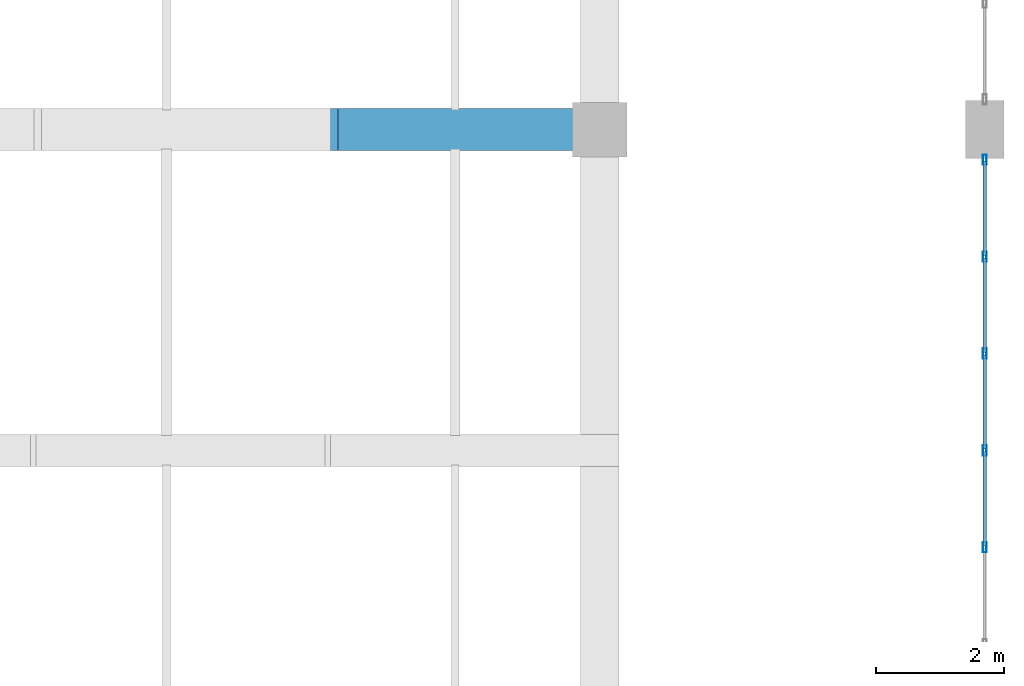
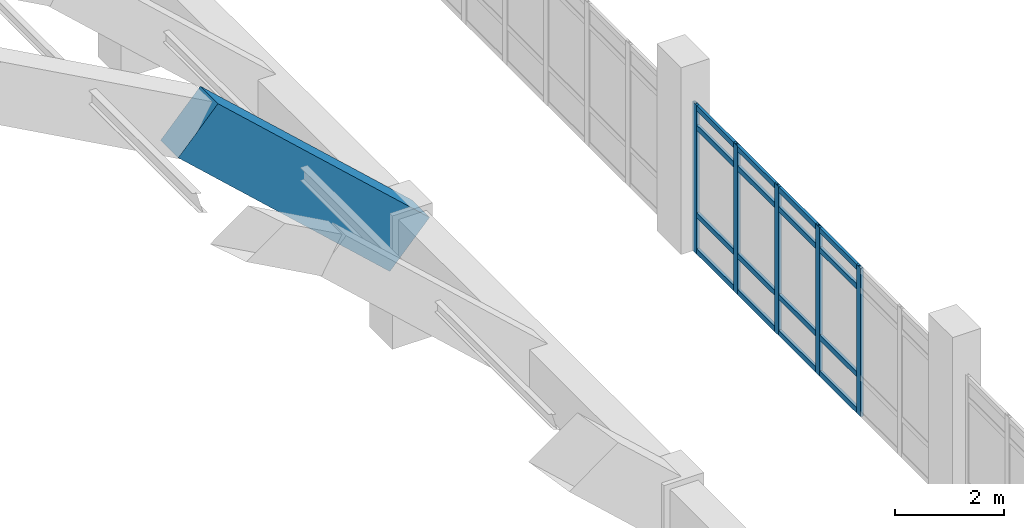
# One storey, part 77 of 111: 21 members, 1 beam, 1 element without a shape of its own.
"""IFC4 building model written with IfcOpenShell, lengths in metres."""

from ifc_helpers import new_model, si_unit, direction, frame, origin, origin_2d, place, context, subcontext, project, spatial, rectangle, hollow_rectangle, extrude, material, layer, layer_set, material_profile, profile_set, type_object, element, aggregate, save


model = new_model("IFC4")

# Units and contexts
model_context = context("Model", 3, precision=1e-05, world=origin(), true_north=direction((0.0, 1.0)))
body_context = subcontext(model_context, "Body", "Model", "MODEL_VIEW")
ifc_project = project(units=[si_unit("LENGTHUNIT", "METRE"), si_unit("AREAUNIT", "SQUARE_METRE"), si_unit("VOLUMEUNIT", "CUBIC_METRE"), si_unit("PLANEANGLEUNIT", "RADIAN"), si_unit("MASSUNIT", "GRAM", prefix="KILO")], contexts=[model_context])

# Site, building, storey
site_placement = place(None, origin())
site = spatial("IfcSite", under=ifc_project, at=site_placement, CompositionType="ELEMENT")
building_placement = place(site_placement, origin())
building = spatial("IfcBuilding", under=site, at=building_placement, Name="Mersad Railyard Sports Hall", CompositionType="ELEMENT")
storey_placement = place(building_placement, frame((0.0, 0.0, 9.0)))
storey = spatial("IfcBuildingStorey", under=building, at=storey_placement, Name="L02", CompositionType="ELEMENT", Elevation=9.0)

# Curtain wall, members
ifc_material_1 = material(Name="Aluminium 6063-T6", Category="aluminium")
ifc_layer = layer(ifc_material_1, 0.159912109375)
ifc_layer_set = layer_set([ifc_layer], Name="Aluminium 6063-T6")
curtain_wall_type = type_object("IfcCurtainWallType", Name="ARC-CW-CW18", PredefinedType="USERDEFINED", material=ifc_layer_set)
curtain_wall_placement = place(storey_placement, origin())
curtain_wall = element("IfcCurtainWall", 1, at=curtain_wall_placement, inside=storey, type_object=curtain_wall_type, Name="Curtain wall CW18-0051", ObjectType="CURTAIN WALL", PredefinedType="USERDEFINED")
ifc_material_profile_1 = material_profile(ifc_material_1, hollow_rectangle(XDim=0.06005859375, YDim=0.159912109375, WallThickness=0.00390625, at=origin_2d()), Name="AL MULLION 60x160x4")
ifc_profile_set_1 = profile_set([ifc_material_profile_1], Name="Aluminium 6063-T6")
member_type_1 = type_object("IfcMemberType", Name="ARC-CW-MUL01", PredefinedType="MULLION", material=ifc_profile_set_1)
member_1_placement = place(storey_placement, frame((179.0, 43.030029296875, -0.02001953125), z_axis=(0.0, 0.0, 1.0), x_axis=(1.0, 0.0, 0.0)))
member_1 = element("IfcMember", 2, at=member_1_placement, type_object=member_type_1, Name="CW18 Mullion 1", PredefinedType="MULLION", context=body_context, shape_type="SweptSolid", body=[
    extrude(hollow_rectangle(XDim=0.06005859375, YDim=0.159912109375, WallThickness=0.00390625, at=origin_2d()), origin(), (0.0, 0.0, 1.0), 3.340087890625),
])
member_2_placement = place(storey_placement, frame((179.0, 41.52001953125, -0.02001953125), z_axis=(0.0, 0.0, 1.0), x_axis=(1.0, 0.0, 0.0)))
member_2 = element("IfcMember", 3, at=member_2_placement, type_object=member_type_1, Name="CW18 Mullion 2", PredefinedType="MULLION", context=body_context, shape_type="SweptSolid", body=[
    extrude(hollow_rectangle(XDim=0.06005859375, YDim=0.159912109375, WallThickness=0.00390625, at=origin_2d()), origin(), (0.0, 0.0, 1.0), 3.340087890625),
])
member_3_placement = place(storey_placement, frame((179.0, 40.010009765625, -0.02001953125), z_axis=(0.0, 0.0, 1.0), x_axis=(1.0, 0.0, 0.0)))
member_3 = element("IfcMember", 4, at=member_3_placement, type_object=member_type_1, Name="CW18 Mullion 3", PredefinedType="MULLION", context=body_context, shape_type="SweptSolid", body=[
    extrude(hollow_rectangle(XDim=0.06005859375, YDim=0.159912109375, WallThickness=0.00390625, at=origin_2d()), origin(), (0.0, 0.0, 1.0), 3.340087890625),
])
member_4_placement = place(storey_placement, frame((179.0, 38.5, -0.02001953125), z_axis=(0.0, 0.0, 1.0), x_axis=(1.0, 0.0, 0.0)))
member_4 = element("IfcMember", 5, at=member_4_placement, type_object=member_type_1, Name="CW18 Mullion 4", PredefinedType="MULLION", context=body_context, shape_type="SweptSolid", body=[
    extrude(hollow_rectangle(XDim=0.06005859375, YDim=0.159912109375, WallThickness=0.00390625, at=origin_2d()), origin(), (0.0, 0.0, 1.0), 3.340087890625),
])
member_5_placement = place(storey_placement, frame((179.0, 36.989990234375, -0.02001953125), z_axis=(0.0, 0.0, 1.0), x_axis=(1.0, 0.0, 0.0)))
member_5 = element("IfcMember", 6, at=member_5_placement, type_object=member_type_1, Name="CW18 Mullion 5", PredefinedType="MULLION", context=body_context, shape_type="SweptSolid", body=[
    extrude(hollow_rectangle(XDim=0.06005859375, YDim=0.159912109375, WallThickness=0.00390625, at=origin_2d()), origin(), (0.0, 0.0, 1.0), 3.340087890625),
])
ifc_material_profile_2 = material_profile(ifc_material_1, hollow_rectangle(XDim=0.06005859375, YDim=0.1201171875, WallThickness=0.00390625, at=origin_2d()), Name="AL TRANSOM 60x120x4")
ifc_profile_set_2 = profile_set([ifc_material_profile_2], Name="Aluminium 6063-T6")
member_type_2 = type_object("IfcMemberType", Name="ARC-CW-TRN01", PredefinedType="USERDEFINED", material=ifc_profile_set_2)
member_6_placement = place(storey_placement, frame((179.0, 43.010009765625, 0.0400390625), z_axis=(0.0, -1.0, 0.0), x_axis=(1.0, 0.0, 0.0)))
member_6 = element("IfcMember", 7, at=member_6_placement, type_object=member_type_2, Name="CW18 Transom 1-1", ObjectType="TRANSOM", PredefinedType="USERDEFINED", context=body_context, shape_type="SweptSolid", body=[
    extrude(hollow_rectangle(XDim=0.06005859375, YDim=0.1201171875, WallThickness=0.00390625, at=origin_2d()), origin(), (0.0, 0.0, 1.0), 1.469970703125),
])
member_7_placement = place(storey_placement, frame((179.0, 41.5, 0.0400390625), z_axis=(0.0, -1.0, 0.0), x_axis=(1.0, 0.0, 0.0)))
member_7 = element("IfcMember", 8, at=member_7_placement, type_object=member_type_2, Name="CW18 Transom 1-2", ObjectType="TRANSOM", PredefinedType="USERDEFINED", context=body_context, shape_type="SweptSolid", body=[
    extrude(hollow_rectangle(XDim=0.06005859375, YDim=0.1201171875, WallThickness=0.00390625, at=origin_2d()), origin(), (0.0, 0.0, 1.0), 1.469970703125),
])
member_8_placement = place(storey_placement, frame((179.0, 39.989990234375, 0.0400390625), z_axis=(0.0, -1.0, 0.0), x_axis=(1.0, 0.0, 0.0)))
member_8 = element("IfcMember", 9, at=member_8_placement, type_object=member_type_2, Name="CW18 Transom 1-3", ObjectType="TRANSOM", PredefinedType="USERDEFINED", context=body_context, shape_type="SweptSolid", body=[
    extrude(hollow_rectangle(XDim=0.06005859375, YDim=0.1201171875, WallThickness=0.00390625, at=origin_2d()), origin(), (0.0, 0.0, 1.0), 1.469970703125),
])
member_9_placement = place(storey_placement, frame((179.0, 38.47998046875, 0.0400390625), z_axis=(0.0, -1.0, 0.0), x_axis=(1.0, 0.0, 0.0)))
member_9 = element("IfcMember", 10, at=member_9_placement, type_object=member_type_2, Name="CW18 Transom 1-4", ObjectType="TRANSOM", PredefinedType="USERDEFINED", context=body_context, shape_type="SweptSolid", body=[
    extrude(hollow_rectangle(XDim=0.06005859375, YDim=0.1201171875, WallThickness=0.00390625, at=origin_2d()), origin(), (0.0, 0.0, 1.0), 1.469970703125),
])
member_10_placement = place(storey_placement, frame((179.0, 43.010009765625, 0.85009765625), z_axis=(0.0, -1.0, 0.0), x_axis=(1.0, 0.0, 0.0)))
member_10 = element("IfcMember", 11, at=member_10_placement, type_object=member_type_2, Name="CW18 Transom 2-1", ObjectType="TRANSOM", PredefinedType="USERDEFINED", context=body_context, shape_type="SweptSolid", body=[
    extrude(hollow_rectangle(XDim=0.06005859375, YDim=0.1201171875, WallThickness=0.00390625, at=origin_2d()), origin(), (0.0, 0.0, 1.0), 1.469970703125),
])
member_11_placement = place(storey_placement, frame((179.0, 41.5, 0.85009765625), z_axis=(0.0, -1.0, 0.0), x_axis=(1.0, 0.0, 0.0)))
member_11 = element("IfcMember", 12, at=member_11_placement, type_object=member_type_2, Name="CW18 Transom 2-2", ObjectType="TRANSOM", PredefinedType="USERDEFINED", context=body_context, shape_type="SweptSolid", body=[
    extrude(hollow_rectangle(XDim=0.06005859375, YDim=0.1201171875, WallThickness=0.00390625, at=origin_2d()), origin(), (0.0, 0.0, 1.0), 1.469970703125),
])
member_12_placement = place(storey_placement, frame((179.0, 39.989990234375, 0.85009765625), z_axis=(0.0, -1.0, 0.0), x_axis=(1.0, 0.0, 0.0)))
member_12 = element("IfcMember", 13, at=member_12_placement, type_object=member_type_2, Name="CW18 Transom 2-3", ObjectType="TRANSOM", PredefinedType="USERDEFINED", context=body_context, shape_type="SweptSolid", body=[
    extrude(hollow_rectangle(XDim=0.06005859375, YDim=0.1201171875, WallThickness=0.00390625, at=origin_2d()), origin(), (0.0, 0.0, 1.0), 1.469970703125),
])
member_13_placement = place(storey_placement, frame((179.0, 38.47998046875, 0.85009765625), z_axis=(0.0, -1.0, 0.0), x_axis=(1.0, 0.0, 0.0)))
member_13 = element("IfcMember", 14, at=member_13_placement, type_object=member_type_2, Name="CW18 Transom 2-4", ObjectType="TRANSOM", PredefinedType="USERDEFINED", context=body_context, shape_type="SweptSolid", body=[
    extrude(hollow_rectangle(XDim=0.06005859375, YDim=0.1201171875, WallThickness=0.00390625, at=origin_2d()), origin(), (0.0, 0.0, 1.0), 1.469970703125),
])
member_14_placement = place(storey_placement, frame((179.0, 43.010009765625, 2.820068359375), z_axis=(0.0, -1.0, 0.0), x_axis=(1.0, 0.0, 0.0)))
member_14 = element("IfcMember", 15, at=member_14_placement, type_object=member_type_2, Name="CW18 Transom 3-1", ObjectType="TRANSOM", PredefinedType="USERDEFINED", context=body_context, shape_type="SweptSolid", body=[
    extrude(hollow_rectangle(XDim=0.06005859375, YDim=0.1201171875, WallThickness=0.00390625, at=origin_2d()), origin(), (0.0, 0.0, 1.0), 1.469970703125),
])
member_15_placement = place(storey_placement, frame((179.0, 41.5, 2.820068359375), z_axis=(0.0, -1.0, 0.0), x_axis=(1.0, 0.0, 0.0)))
member_15 = element("IfcMember", 16, at=member_15_placement, type_object=member_type_2, Name="CW18 Transom 3-2", ObjectType="TRANSOM", PredefinedType="USERDEFINED", context=body_context, shape_type="SweptSolid", body=[
    extrude(hollow_rectangle(XDim=0.06005859375, YDim=0.1201171875, WallThickness=0.00390625, at=origin_2d()), origin(), (0.0, 0.0, 1.0), 1.469970703125),
])
member_16_placement = place(storey_placement, frame((179.0, 39.989990234375, 2.820068359375), z_axis=(0.0, -1.0, 0.0), x_axis=(1.0, 0.0, 0.0)))
member_16 = element("IfcMember", 17, at=member_16_placement, type_object=member_type_2, Name="CW18 Transom 3-3", ObjectType="TRANSOM", PredefinedType="USERDEFINED", context=body_context, shape_type="SweptSolid", body=[
    extrude(hollow_rectangle(XDim=0.06005859375, YDim=0.1201171875, WallThickness=0.00390625, at=origin_2d()), origin(), (0.0, 0.0, 1.0), 1.469970703125),
])
member_17_placement = place(storey_placement, frame((179.0, 38.47998046875, 2.820068359375), z_axis=(0.0, -1.0, 0.0), x_axis=(1.0, 0.0, 0.0)))
member_17 = element("IfcMember", 18, at=member_17_placement, type_object=member_type_2, Name="CW18 Transom 3-4", ObjectType="TRANSOM", PredefinedType="USERDEFINED", context=body_context, shape_type="SweptSolid", body=[
    extrude(hollow_rectangle(XDim=0.06005859375, YDim=0.1201171875, WallThickness=0.00390625, at=origin_2d()), origin(), (0.0, 0.0, 1.0), 1.469970703125),
])
member_18_placement = place(storey_placement, frame((179.0, 43.010009765625, 3.260009765625), z_axis=(0.0, -1.0, 0.0), x_axis=(1.0, 0.0, 0.0)))
member_18 = element("IfcMember", 19, at=member_18_placement, type_object=member_type_2, Name="CW18 Transom 4-1", ObjectType="TRANSOM", PredefinedType="USERDEFINED", context=body_context, shape_type="SweptSolid", body=[
    extrude(hollow_rectangle(XDim=0.06005859375, YDim=0.1201171875, WallThickness=0.00390625, at=origin_2d()), origin(), (0.0, 0.0, 1.0), 1.469970703125),
])
member_19_placement = place(storey_placement, frame((179.0, 41.5, 3.260009765625), z_axis=(0.0, -1.0, 0.0), x_axis=(1.0, 0.0, 0.0)))
member_19 = element("IfcMember", 20, at=member_19_placement, type_object=member_type_2, Name="CW18 Transom 4-2", ObjectType="TRANSOM", PredefinedType="USERDEFINED", context=body_context, shape_type="SweptSolid", body=[
    extrude(hollow_rectangle(XDim=0.06005859375, YDim=0.1201171875, WallThickness=0.00390625, at=origin_2d()), origin(), (0.0, 0.0, 1.0), 1.469970703125),
])
member_20_placement = place(storey_placement, frame((179.0, 39.989990234375, 3.260009765625), z_axis=(0.0, -1.0, 0.0), x_axis=(1.0, 0.0, 0.0)))
member_20 = element("IfcMember", 21, at=member_20_placement, type_object=member_type_2, Name="CW18 Transom 4-3", ObjectType="TRANSOM", PredefinedType="USERDEFINED", context=body_context, shape_type="SweptSolid", body=[
    extrude(hollow_rectangle(XDim=0.06005859375, YDim=0.1201171875, WallThickness=0.00390625, at=origin_2d()), origin(), (0.0, 0.0, 1.0), 1.469970703125),
])
member_21_placement = place(storey_placement, frame((179.0, 38.47998046875, 3.260009765625), z_axis=(0.0, -1.0, 0.0), x_axis=(1.0, 0.0, 0.0)))
member_21 = element("IfcMember", 22, at=member_21_placement, type_object=member_type_2, Name="CW18 Transom 4-4", ObjectType="TRANSOM", PredefinedType="USERDEFINED", context=body_context, shape_type="SweptSolid", body=[
    extrude(hollow_rectangle(XDim=0.06005859375, YDim=0.1201171875, WallThickness=0.00390625, at=origin_2d()), origin(), (0.0, 0.0, 1.0), 1.469970703125),
])
aggregate(curtain_wall, [member_1, member_2, member_3, member_4, member_5, member_6, member_7, member_8, member_9, member_10, member_11, member_12, member_13, member_14, member_15, member_16, member_17, member_18, member_19, member_20, member_21])

# Beam
ifc_material_2 = material(Name="Architectural concrete C50/60", Category="concrete")
ifc_material_profile_3 = material_profile(ifc_material_2, rectangle(XDim=0.64990234375, YDim=1.25, at=origin_2d()), Name="VR 650x1250")
ifc_profile_set_3 = profile_set([ifc_material_profile_3], Name="Architectural concrete C50/60")
beam_type = type_object("IfcBeamType", Name="STR-BM-VR01", PredefinedType="BEAM", material=ifc_profile_set_3)
beam_placement = place(storey_placement, frame((168.5, 43.5, 6.2822265625), z_axis=(0.736556702909, 0.0, -0.676375800425), x_axis=(0.0, 1.0, 0.0)))
element("IfcBeam", 23, at=beam_placement, inside=storey, type_object=beam_type, Name="Beam VR01-0792", PredefinedType="BEAM", context=body_context, shape_type="SweptSolid", body=[
    extrude(rectangle(XDim=0.64990234375, YDim=1.25, at=origin_2d()), origin(), (0.0, 0.0, 1.0), 6.109619140625),
])

save(model, "model.ifc")
